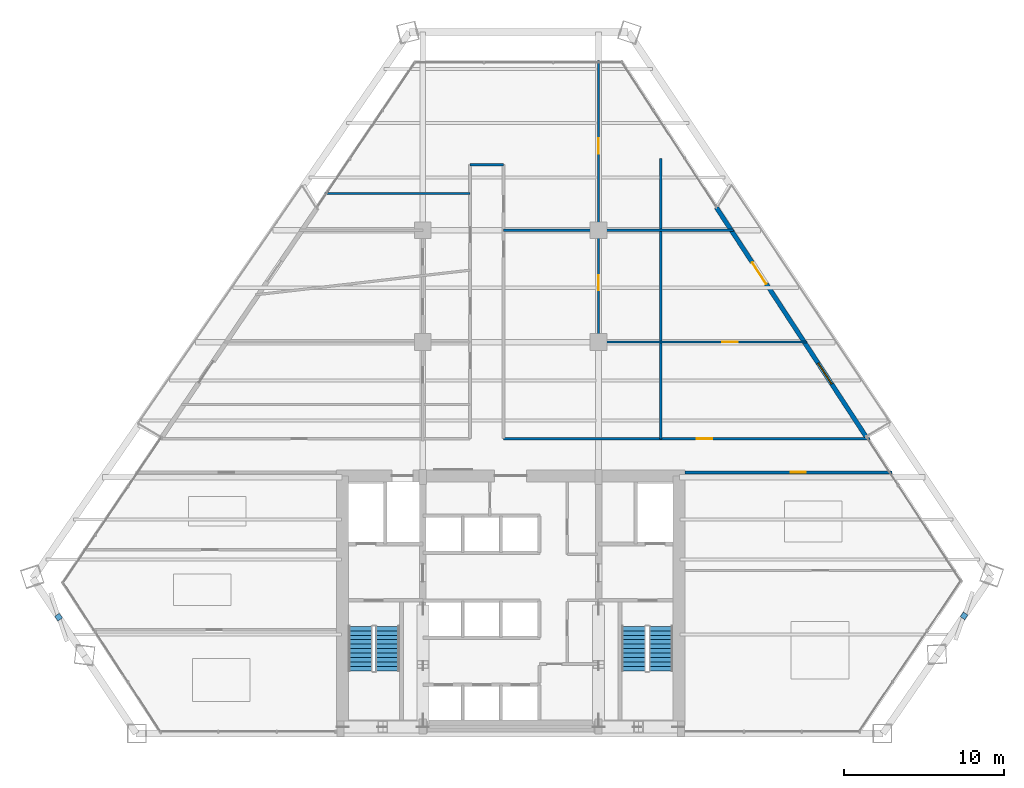
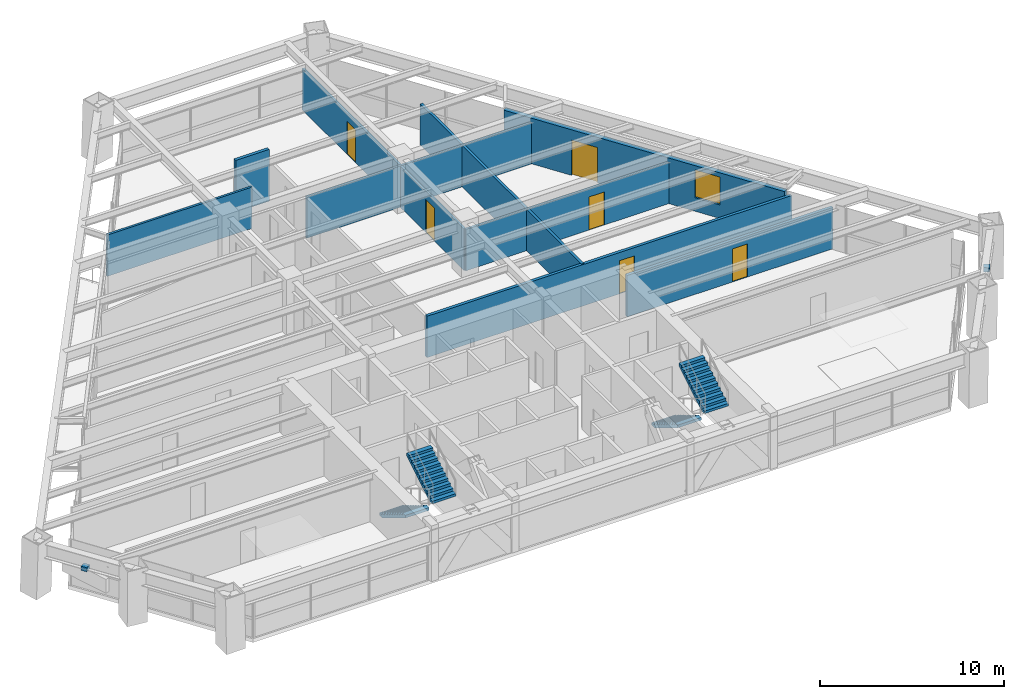
# One storey, part 12 of 14: 9 walls, 6 doors, 4 stair flights, 2 discrete accessories, 1 window, 7 openings, 2 elements without a shape of their own.
"""IFC4 building model written with IfcOpenShell, lengths in metres."""

from ifc_helpers import new_model, si_unit, direction, frame, frame_2d, origin, origin_2d, place, context, subcontext, project, spatial, polyline, rectangle, outline, extrude, source, transform, mapped, material, layer, layer_set, type_object, type_shapes, element, fill, aggregate, save


model = new_model("IFC4")

# Units and contexts
model_context = context("Model", 3, precision=1e-05, world=origin(), true_north=direction((0.0, 1.0)))
body_context = subcontext(model_context, "Body", "Model", "MODEL_VIEW")
ifc_project = project(units=[si_unit("LENGTHUNIT", "METRE"), si_unit("AREAUNIT", "SQUARE_METRE"), si_unit("VOLUMEUNIT", "CUBIC_METRE"), si_unit("PLANEANGLEUNIT", "RADIAN"), si_unit("MASSUNIT", "GRAM", prefix="KILO")], contexts=[model_context])

# Site, building, storey
site_placement = place(None, origin())
site = spatial("IfcSite", under=ifc_project, at=site_placement, CompositionType="ELEMENT")
building_placement = place(site_placement, origin())
building = spatial("IfcBuilding", under=site, at=building_placement, Name="Varnakhor Terracotta Tower", CompositionType="ELEMENT")
storey_placement = place(building_placement, frame((0.0, 0.0, 80.300048828125)))
storey = spatial("IfcBuildingStorey", under=building, at=storey_placement, Name="L19", CompositionType="ELEMENT", Elevation=80.300048828125)

# Wall, opening, door
ifc_material_1 = material(Name="Fire-Rated Gypsum Stud Partition", Category="gypsum")
ifc_layer_1 = layer(ifc_material_1, 0.18505859375, Name="Fire-Rated Gypsum Stud Partition")
ifc_layer_set_1 = layer_set([ifc_layer_1], Name="Fire-Rated Gypsum Stud Partition")
wall_type_1 = type_object("IfcWallType", Name="WAL-CORR-185", PredefinedType="PARTITIONING", material=ifc_layer_set_1)
wall_1_placement = place(storey_placement, frame((10.919921875, 16.35009765625, 0.0), z_axis=(0.0, 0.0, 1.0), x_axis=(1.0, 0.0, 0.0)))
wall_1 = element("IfcWall", 1, at=wall_1_placement, inside=storey, type_object=wall_type_1, Name="L19 South East Corridor Wall", PredefinedType="PARTITIONING", context=body_context, shape_type="SweptSolid", body=[
    extrude(rectangle(XDim=12.935791015625, YDim=0.18505859375, at=frame_2d((6.4677734375, 0.0))), origin(), (0.0, 0.0, 1.0), 2.7470703125),
])
opening_1_placement = place(wall_1_placement, frame((6.605712890625, 0.0, 0.0)))
opening_1 = element("IfcOpeningElement", 2, at=opening_1_placement, cuts=wall_1, Name="Opening DR-94", PredefinedType="OPENING", context=body_context, shape_type="SweptSolid", body=[
    extrude(rectangle(XDim=0.949951171875, YDim=2.199951171875, at=frame_2d((0.47509765625, 1.10009765625))), frame((0.0, 0.1025390625, 0.0), z_axis=(0.0, -1.0, 0.0), x_axis=(1.0, 0.0, 0.0)), (0.0, 0.0, 1.0), 0.205078125),
])
ifc_material_2 = material(Name="Acoustic Glazed-Vision Timber Office Door", Category="wood")
door_type_1 = type_object("IfcDoorType", Name="DR-OFF-950X2200", OperationType="NOTDEFINED", PredefinedType="DOOR", material=ifc_material_2)
shared_shape_1 = source(origin(), body_context, "Body", "SweptSolid", [
    extrude(rectangle(XDim=0.949951171875, YDim=2.199951171875, at=frame_2d((0.47509765625, 1.10009765625))), frame((0.0, 0.02490234375, 0.0), z_axis=(0.0, -1.0, 0.0), x_axis=(1.0, 0.0, 0.0)), (0.0, 0.0, 1.0), 0.050048828125),
])
type_shapes(door_type_1, [shared_shape_1])
door_1_placement = place(opening_1_placement, origin())
door_1 = element("IfcDoor", 3, at=door_1_placement, inside=storey, type_object=door_type_1, Name="L19 SE Suite Door", OperationType="SINGLE_SWING_LEFT", OverallHeight=2.199951171875, OverallWidth=0.949951171875, PredefinedType="DOOR", context=body_context, shape_type="MappedRepresentation", body=[
    mapped(shared_shape_1, transform((0.0, 0.0, 0.0), scale=1.0)),
])
fill(opening_1, door_1)

wall_2_placement = place(storey_placement, frame((-0.449951171875, 18.449951171875, 0.0), z_axis=(0.0, 0.0, 1.0), x_axis=(1.0, 0.0, 0.0)))
wall_2 = element("IfcWall", 4, at=wall_2_placement, inside=storey, type_object=wall_type_1, Name="L19 Corridor North East Wall", PredefinedType="PARTITIONING", context=body_context, shape_type="SweptSolid", body=[
    extrude(rectangle(XDim=22.933837890625, YDim=0.18505859375, at=frame_2d((11.466796875, 0.0))), origin(), (0.0, 0.0, 1.0), 2.7470703125),
])
opening_2_placement = place(wall_2_placement, frame((12.1044921875, 0.0, 0.0)))
opening_2 = element("IfcOpeningElement", 5, at=opening_2_placement, cuts=wall_2, Name="Opening DR-94", PredefinedType="OPENING", context=body_context, shape_type="SweptSolid", body=[
    extrude(rectangle(XDim=0.949951171875, YDim=2.199951171875, at=frame_2d((0.47509765625, 1.10009765625))), frame((0.0, 0.1025390625, 0.0), z_axis=(0.0, -1.0, 0.0), x_axis=(1.0, 0.0, 0.0)), (0.0, 0.0, 1.0), 0.205078125),
])
door_2_placement = place(opening_2_placement, origin())
door_2 = element("IfcDoor", 6, at=door_2_placement, inside=storey, type_object=door_type_1, Name="L19 East Workplace Door", OperationType="SINGLE_SWING_LEFT", OverallHeight=2.199951171875, OverallWidth=0.949951171875, PredefinedType="DOOR", context=body_context, shape_type="MappedRepresentation", body=[
    mapped(shared_shape_1, transform((0.0, 0.0, 0.0), scale=1.0)),
])
fill(opening_2, door_2)

# Wall
wall_3_placement = place(storey_placement, frame((-2.550048828125, 35.60009765625, 0.0), z_axis=(0.0, 0.0, 1.0), x_axis=(1.0, 0.0, 0.0)))
element("IfcWall", 7, at=wall_3_placement, inside=storey, type_object=wall_type_1, Name="L19 Spine North End Wall", PredefinedType="PARTITIONING", context=body_context, shape_type="SweptSolid", body=[
    extrude(rectangle(XDim=2.10009765625, YDim=0.18505859375, at=frame_2d((1.050048828125, 0.0))), origin(), (0.0, 0.0, 1.0), 3.44189453125),
])

# Wall, openings, door, window
ifc_material_3 = material(Name="Extruded Architectural Terracotta Assembly", Category="masonry")
ifc_layer_2 = layer(ifc_material_3, 0.280029296875, Name="Extruded Architectural Terracotta Assembly")
ifc_layer_set_2 = layer_set([ifc_layer_2], Name="Extruded Architectural Terracotta Assembly")
wall_type_2 = type_object("IfcWallType", Name="WAL-EXT-TERRACOTTA-280", PredefinedType="SOLIDWALL", material=ifc_layer_set_2)
wall_4_placement = place(storey_placement, frame((12.870849609375, 32.928955078125, 0.0), z_axis=(0.0, 0.0, 1.0), x_axis=(0.546875982242, -0.83721362868, 0.0)))
wall_4 = element("IfcWall", 8, at=wall_4_placement, inside=storey, type_object=wall_type_2, Name="L19 E Loggia Insulated Terracotta Wall", PredefinedType="SOLIDWALL", context=body_context, shape_type="SweptSolid", body=[
    extrude(rectangle(XDim=17.126220703125, YDim=0.280029296875, at=frame_2d((8.56298828125, 0.0))), origin(), (0.0, 0.0, 1.0), 3.030029296875),
])
opening_3_placement = place(wall_4_placement, frame((4.1103515625, 0.0, 0.0)))
opening_3 = element("IfcOpeningElement", 9, at=opening_3_placement, cuts=wall_4, Name="Opening DR-62", PredefinedType="OPENING", context=body_context, shape_type="SweptSolid", body=[
    extrude(rectangle(XDim=1.60009765625, YDim=2.35009765625, at=frame_2d((0.800048828125, 1.175048828125))), frame((0.0, 0.14990234375, 0.0), z_axis=(0.0, -1.0, 0.0), x_axis=(1.0, 0.0, 0.0)), (0.0, 0.0, 1.0), 0.300048828125),
])
opening_4_placement = place(wall_4_placement, frame((11.64599609375, 0.0, 0.89990234375)))
opening_4 = element("IfcOpeningElement", 10, at=opening_4_placement, cuts=wall_4, Name="Opening WN-57", PredefinedType="OPENING", context=body_context, shape_type="SweptSolid", body=[
    extrude(rectangle(XDim=1.550048828125, YDim=1.85009765625, at=frame_2d((0.77490234375, 0.925048828125))), frame((0.0, 0.14990234375, 0.0), z_axis=(0.0, -1.0, 0.0), x_axis=(1.0, 0.0, 0.0)), (0.0, 0.0, 1.0), 0.300048828125),
])
ifc_material_4 = material(Name="Thermally Broken Sliding Glass Loggia Door", Category="glass")
door_type_2 = type_object("IfcDoorType", Name="DR-EXT-LOGGIA-1600X2350", OperationType="NOTDEFINED", PredefinedType="DOOR", material=ifc_material_4)
shared_shape_2 = source(origin(), body_context, "Body", "SweptSolid", [
    extrude(rectangle(XDim=1.60009765625, YDim=2.35009765625, at=frame_2d((0.800048828125, 1.175048828125))), frame((0.0, 0.02490234375, 0.0), z_axis=(0.0, -1.0, 0.0), x_axis=(1.0, 0.0, 0.0)), (0.0, 0.0, 1.0), 0.050048828125),
])
type_shapes(door_type_2, [shared_shape_2])
door_3_placement = place(opening_3_placement, origin())
door_3 = element("IfcDoor", 11, at=door_3_placement, inside=storey, type_object=door_type_2, Name="L19 E Recessed Loggia Sliding Door", OperationType="SLIDING_TO_RIGHT", OverallHeight=2.35009765625, OverallWidth=1.60009765625, PredefinedType="DOOR", context=body_context, shape_type="MappedRepresentation", body=[
    mapped(shared_shape_2, transform((0.0, 0.0, 0.0), scale=1.0)),
])
fill(opening_3, door_3)
ifc_material_5 = material(Name="Solar-Control Low-E Insulated Glass Unit", Category="glass")
window_type = type_object("IfcWindowType", Name="WIN-OFF-1650X2100", PartitioningType="SINGLE_PANEL", PredefinedType="WINDOW", material=ifc_material_5)
shared_shape_3 = source(origin(), body_context, "Body", "SweptSolid", [
    extrude(rectangle(XDim=1.550048828125, YDim=1.85009765625, at=frame_2d((0.77490234375, 0.925048828125))), frame((0.0, 0.030029296875, 0.0), z_axis=(0.0, -1.0, 0.0), x_axis=(1.0, 0.0, 0.0)), (0.0, 0.0, 1.0), 0.06005859375),
])
type_shapes(window_type, [shared_shape_3])
window_placement = place(opening_4_placement, origin())
window = element("IfcWindow", 12, at=window_placement, inside=storey, type_object=window_type, Name="L19 E Facet Punched Window", OverallHeight=1.85009765625, OverallWidth=1.550048828125, PartitioningType="SINGLE_PANEL", PredefinedType="WINDOW", context=body_context, shape_type="MappedRepresentation", body=[
    mapped(shared_shape_3, transform((0.0, 0.0, 0.0), scale=1.0)),
])
fill(opening_4, window)

# Wall, openings, doors
ifc_material_6 = material(Name="Acoustic Metal-Stud Partition", Category="gypsum")
ifc_layer_3 = layer(ifc_material_6, 0.139892578125, Name="Acoustic Metal-Stud Partition")
ifc_layer_set_3 = layer_set([ifc_layer_3], Name="Acoustic Metal-Stud Partition")
wall_type_3 = type_object("IfcWallType", Name="WAL-PART-140", PredefinedType="PARTITIONING", material=ifc_layer_set_3)
wall_5_placement = place(storey_placement, frame((5.5, 24.5, 0.0), z_axis=(0.0, 0.0, 1.0), x_axis=(0.0, 1.0, 0.0)))
wall_5 = element("IfcWall", 13, at=wall_5_placement, inside=storey, type_object=wall_type_3, Name="L19 East Column Line Wall", PredefinedType="PARTITIONING", context=body_context, shape_type="SweptSolid", body=[
    extrude(rectangle(XDim=17.6201171875, YDim=0.139892578125, at=frame_2d((8.81005859375, 0.0))), origin(), (0.0, 0.0, 1.0), 2.7470703125),
])
opening_5_placement = place(wall_5_placement, frame((3.22998046875, 0.0, 0.0)))
opening_5 = element("IfcOpeningElement", 14, at=opening_5_placement, cuts=wall_5, Name="Opening DR-94", PredefinedType="OPENING", context=body_context, shape_type="SweptSolid", body=[
    extrude(rectangle(XDim=0.949951171875, YDim=2.199951171875, at=frame_2d((0.47509765625, 1.10009765625))), frame((0.0, 0.080078125, 0.0), z_axis=(0.0, -1.0, 0.0), x_axis=(1.0, 0.0, 0.0)), (0.0, 0.0, 1.0), 0.159912109375),
])
opening_6_placement = place(wall_5_placement, frame((11.800048828125, 0.0, 0.0)))
opening_6 = element("IfcOpeningElement", 15, at=opening_6_placement, cuts=wall_5, Name="Opening DR-94", PredefinedType="OPENING", context=body_context, shape_type="SweptSolid", body=[
    extrude(rectangle(XDim=0.949951171875, YDim=2.199951171875, at=frame_2d((0.47509765625, 1.10009765625))), frame((0.0, 0.080078125, 0.0), z_axis=(0.0, -1.0, 0.0), x_axis=(1.0, 0.0, 0.0)), (0.0, 0.0, 1.0), 0.159912109375),
])
door_4_placement = place(opening_5_placement, origin())
door_4 = element("IfcDoor", 16, at=door_4_placement, inside=storey, type_object=door_type_1, Name="L19 Focus Office B15 Door", OperationType="SINGLE_SWING_LEFT", OverallHeight=2.199951171875, OverallWidth=0.949951171875, PredefinedType="DOOR", context=body_context, shape_type="MappedRepresentation", body=[
    mapped(shared_shape_1, transform((0.0, 0.0, 0.0), scale=1.0)),
])
fill(opening_5, door_4)
door_5_placement = place(opening_6_placement, origin())
door_5 = element("IfcDoor", 17, at=door_5_placement, inside=storey, type_object=door_type_1, Name="L19 Reception Lounge Door", OperationType="SINGLE_SWING_LEFT", OverallHeight=2.199951171875, OverallWidth=0.949951171875, PredefinedType="DOOR", context=body_context, shape_type="MappedRepresentation", body=[
    mapped(shared_shape_1, transform((0.0, 0.0, 0.0), scale=1.0)),
])
fill(opening_6, door_5)

# Wall, opening, door
wall_6_placement = place(storey_placement, frame((5.5, 24.5, 0.0), z_axis=(0.0, 0.0, 1.0), x_axis=(1.0, 0.0, 0.0)))
wall_6 = element("IfcWall", 18, at=wall_6_placement, inside=storey, type_object=wall_type_3, Name="L19 Mid East Column Wall", PredefinedType="PARTITIONING", context=body_context, shape_type="SweptSolid", body=[
    extrude(rectangle(XDim=13.031982421875, YDim=0.139892578125, at=frame_2d((6.51611328125, 0.0))), origin(), (0.0, 0.0, 1.0), 2.7470703125),
])
opening_7_placement = place(wall_6_placement, frame((7.7548828125, 0.0, 0.0)))
opening_7 = element("IfcOpeningElement", 19, at=opening_7_placement, cuts=wall_6, Name="Opening DR-94", PredefinedType="OPENING", context=body_context, shape_type="SweptSolid", body=[
    extrude(rectangle(XDim=0.949951171875, YDim=2.199951171875, at=frame_2d((0.47509765625, 1.10009765625))), frame((0.0, 0.080078125, 0.0), z_axis=(0.0, -1.0, 0.0), x_axis=(1.0, 0.0, 0.0)), (0.0, 0.0, 1.0), 0.159912109375),
])
door_6_placement = place(opening_7_placement, origin())
door_6 = element("IfcDoor", 20, at=door_6_placement, inside=storey, type_object=door_type_1, Name="L19 Staff Dining Room Door", OperationType="SINGLE_SWING_RIGHT", OverallHeight=2.199951171875, OverallWidth=0.949951171875, PredefinedType="DOOR", context=body_context, shape_type="MappedRepresentation", body=[
    mapped(shared_shape_1, transform((0.0, 0.0, 0.0), scale=1.0)),
])
fill(opening_7, door_6)

# Walls
wall_7_placement = place(storey_placement, frame((-11.664306640625, 33.800048828125, 0.0), z_axis=(0.0, 0.0, 1.0), x_axis=(1.0, 0.0, 0.0)))
element("IfcWall", 21, at=wall_7_placement, inside=storey, type_object=wall_type_3, Name="L19 West Wing Cut 4", PredefinedType="PARTITIONING", context=body_context, shape_type="SweptSolid", body=[
    extrude(rectangle(XDim=9.1142578125, YDim=0.139892578125, at=frame_2d((4.55712890625, 0.0))), origin(), (0.0, 0.0, 1.0), 2.7470703125),
])
wall_8_placement = place(storey_placement, frame((-0.449951171875, 31.5, 0.0), z_axis=(0.0, 0.0, 1.0), x_axis=(1.0, 0.0, 0.0)))
element("IfcWall", 22, at=wall_8_placement, inside=storey, type_object=wall_type_3, Name="L19 East Wing Cut 1", PredefinedType="PARTITIONING", context=body_context, shape_type="SweptSolid", body=[
    extrude(rectangle(XDim=14.409423828125, YDim=0.139892578125, at=frame_2d((7.20458984375, 0.0))), origin(), (0.0, 0.0, 1.0), 2.7470703125),
])
ifc_material_7 = material(Name="Acoustic Fire-Rated Partition", Category="gypsum")
ifc_layer_4 = layer(ifc_material_7, 0.1650390625, Name="Acoustic Fire-Rated Partition")
ifc_layer_set_4 = layer_set([ifc_layer_4], Name="Acoustic Fire-Rated Partition")
wall_type_4 = type_object("IfcWallType", Name="WAL-TENANCY-165", PredefinedType="PARTITIONING", material=ifc_layer_set_4)
wall_9_placement = place(storey_placement, frame((9.39990234375, 18.449951171875, 0.0), z_axis=(0.0, 0.0, 1.0), x_axis=(0.0, 1.0, 0.0)))
element("IfcWall", 23, at=wall_9_placement, inside=storey, type_object=wall_type_4, Name="L19 East Cellular Line", PredefinedType="PARTITIONING", context=body_context, shape_type="SweptSolid", body=[
    extrude(rectangle(XDim=17.550048828125, YDim=0.1650390625, at=frame_2d((8.77490234375, 0.0))), origin(), (0.0, 0.0, 1.0), 2.7470703125),
])

# Stair, stair flights
ifc_material_8 = material(Name="Concrete C40/50", Category="concrete")
stair_type = type_object("IfcStairType", Name="STR-CORE-OFFICE-1500", PredefinedType="HALF_TURN_STAIR", material=ifc_material_8)
stair_1_placement = place(storey_placement, origin())
stair_1 = element("IfcStair", 24, at=stair_1_placement, inside=storey, type_object=stair_type, Name="L19 Core Exit Stair ST-1", PredefinedType="HALF_TURN_STAIR")
stair_flight_type = type_object("IfcStairFlightType", Name="FLT-CORE-1500", PredefinedType="STRAIGHT", material=ifc_material_8)
stair_flight_1_placement = place(storey_placement, frame((-9.39990234375, 6.7099609375, 0.0), z_axis=(0.0, 0.0, 1.0), x_axis=(0.0, -1.0, 0.0)))
stair_flight_1 = element("IfcStairFlight", 25, at=stair_flight_1_placement, type_object=stair_flight_type, Name="ST-1 flight 1", NumberOfRisers=11, NumberOfTreads=10, PredefinedType="STRAIGHT", RiserHeight=0.168181818, TreadLength=0.28, context=body_context, shape_type="SweptSolid", body=[
    extrude(outline(polyline([(0.0, 0.0), (0.0, 0.168212890625), (0.280029296875, 0.168212890625), (0.280029296875, 0.33642578125), (0.56005859375, 0.33642578125), (0.56005859375, 0.504638671875), (0.840087890625, 0.504638671875), (0.840087890625, 0.672607421875), (1.1201171875, 0.672607421875), (1.1201171875, 0.8408203125), (1.39990234375, 0.8408203125), (1.39990234375, 1.009033203125), (1.679931640625, 1.009033203125), (1.679931640625, 1.17724609375), (1.9599609375, 1.17724609375), (1.9599609375, 1.345458984375), (2.239990234375, 1.345458984375), (2.239990234375, 1.513671875), (2.52001953125, 1.513671875), (2.52001953125, 1.681884765625), (2.800048828125, 1.681884765625), (2.800048828125, 1.85009765625), (2.800048828125, 1.495361328125), (0.310546875, 0.0), (0.0, 0.0)])), frame((0.0, 0.75, 0.0), z_axis=(0.0, -1.0, 0.0), x_axis=(1.0, 0.0, 0.0)), (0.0, 0.0, 1.0), 1.5),
])
stair_flight_2_placement = place(storey_placement, frame((-7.699951171875, 3.909912109375, 1.849853515625), z_axis=(0.0, 0.0, 1.0), x_axis=(0.0, 1.0, 0.0)))
stair_flight_2 = element("IfcStairFlight", 26, at=stair_flight_2_placement, type_object=stair_flight_type, Name="ST-1 flight 2", NumberOfRisers=11, NumberOfTreads=10, PredefinedType="STRAIGHT", RiserHeight=0.168181818, TreadLength=0.28, context=body_context, shape_type="SweptSolid", body=[
    extrude(outline(polyline([(0.0, 0.0), (0.0, 0.168212890625), (0.280029296875, 0.168212890625), (0.280029296875, 0.33642578125), (0.56005859375, 0.33642578125), (0.56005859375, 0.504638671875), (0.840087890625, 0.504638671875), (0.840087890625, 0.672607421875), (1.1201171875, 0.672607421875), (1.1201171875, 0.8408203125), (1.39990234375, 0.8408203125), (1.39990234375, 1.009033203125), (1.679931640625, 1.009033203125), (1.679931640625, 1.17724609375), (1.9599609375, 1.17724609375), (1.9599609375, 1.345458984375), (2.239990234375, 1.345458984375), (2.239990234375, 1.513671875), (2.52001953125, 1.513671875), (2.52001953125, 1.681884765625), (2.800048828125, 1.681884765625), (2.800048828125, 1.85009765625), (2.800048828125, 1.495361328125), (0.310546875, 0.0), (0.0, 0.0)])), frame((0.0, 0.75, 0.0), z_axis=(0.0, -1.0, 0.0), x_axis=(1.0, 0.0, 0.0)), (0.0, 0.0, 1.0), 1.5),
])
aggregate(stair_1, [stair_flight_1, stair_flight_2])

stair_2_placement = place(storey_placement, origin())
stair_2 = element("IfcStair", 27, at=stair_2_placement, inside=storey, type_object=stair_type, Name="L19 Core Exit Stair ST-2", PredefinedType="HALF_TURN_STAIR")
stair_flight_3_placement = place(storey_placement, frame((7.699951171875, 6.7099609375, 0.0), z_axis=(0.0, 0.0, 1.0), x_axis=(0.0, -1.0, 0.0)))
stair_flight_3 = element("IfcStairFlight", 28, at=stair_flight_3_placement, type_object=stair_flight_type, Name="ST-2 flight 1", NumberOfRisers=11, NumberOfTreads=10, PredefinedType="STRAIGHT", RiserHeight=0.168181818, TreadLength=0.28, context=body_context, shape_type="SweptSolid", body=[
    extrude(outline(polyline([(0.0, 0.0), (0.0, 0.168212890625), (0.280029296875, 0.168212890625), (0.280029296875, 0.33642578125), (0.56005859375, 0.33642578125), (0.56005859375, 0.504638671875), (0.840087890625, 0.504638671875), (0.840087890625, 0.672607421875), (1.1201171875, 0.672607421875), (1.1201171875, 0.8408203125), (1.39990234375, 0.8408203125), (1.39990234375, 1.009033203125), (1.679931640625, 1.009033203125), (1.679931640625, 1.17724609375), (1.9599609375, 1.17724609375), (1.9599609375, 1.345458984375), (2.239990234375, 1.345458984375), (2.239990234375, 1.513671875), (2.52001953125, 1.513671875), (2.52001953125, 1.681884765625), (2.800048828125, 1.681884765625), (2.800048828125, 1.85009765625), (2.800048828125, 1.495361328125), (0.310546875, 0.0), (0.0, 0.0)])), frame((0.0, 0.75, 0.0), z_axis=(0.0, -1.0, 0.0), x_axis=(1.0, 0.0, 0.0)), (0.0, 0.0, 1.0), 1.5),
])
stair_flight_4_placement = place(storey_placement, frame((9.39990234375, 3.909912109375, 1.849853515625), z_axis=(0.0, 0.0, 1.0), x_axis=(0.0, 1.0, 0.0)))
stair_flight_4 = element("IfcStairFlight", 29, at=stair_flight_4_placement, type_object=stair_flight_type, Name="ST-2 flight 2", NumberOfRisers=11, NumberOfTreads=10, PredefinedType="STRAIGHT", RiserHeight=0.168181818, TreadLength=0.28, context=body_context, shape_type="SweptSolid", body=[
    extrude(outline(polyline([(0.0, 0.0), (0.0, 0.168212890625), (0.280029296875, 0.168212890625), (0.280029296875, 0.33642578125), (0.56005859375, 0.33642578125), (0.56005859375, 0.504638671875), (0.840087890625, 0.504638671875), (0.840087890625, 0.672607421875), (1.1201171875, 0.672607421875), (1.1201171875, 0.8408203125), (1.39990234375, 0.8408203125), (1.39990234375, 1.009033203125), (1.679931640625, 1.009033203125), (1.679931640625, 1.17724609375), (1.9599609375, 1.17724609375), (1.9599609375, 1.345458984375), (2.239990234375, 1.345458984375), (2.239990234375, 1.513671875), (2.52001953125, 1.513671875), (2.52001953125, 1.681884765625), (2.800048828125, 1.681884765625), (2.800048828125, 1.85009765625), (2.800048828125, 1.495361328125), (0.310546875, 0.0), (0.0, 0.0)])), frame((0.0, 0.75, 0.0), z_axis=(0.0, -1.0, 0.0), x_axis=(1.0, 0.0, 0.0)), (0.0, 0.0, 1.0), 1.5),
])
aggregate(stair_2, [stair_flight_3, stair_flight_4])

# Discrete accessories
ifc_material_9 = material(Name="Stainless Steel Fixing Bracket", Category="steel")
discrete_accessory_type = type_object("IfcDiscreteAccessoryType", Name="BRACKET-TERRACOTTA-SCREEN", PredefinedType="BRACKET", material=ifc_material_9)
shared_shape_4 = source(origin(), body_context, "Body", "SweptSolid", [
    extrude(rectangle(XDim=0.35009765625, YDim=0.35009765625, at=origin_2d()), origin(), (0.0, 0.0, 1.0), 0.280029296875),
])
type_shapes(discrete_accessory_type, [shared_shape_4])
for number, where, z_axis, x_axis, name in (
    (30, (28.37548828125, 7.36328125, 2.39306640625), (0.0, 0.0, 1.0), (0.567700072007, 0.823235463427, 0.0), "L19 E Screen Fixing Bracket"),
    (31, (-28.29443359375, 7.28466796875, 2.39306640625), (0.0, 0.0, 1.0), (0.554553986878, -0.832147748683, 0.0), "L19 W Screen Fixing Bracket"),
):
    element("IfcDiscreteAccessory", number, at=place(storey_placement, frame(where, z_axis=z_axis, x_axis=x_axis)), inside=storey, type_object=discrete_accessory_type, Name=name, PredefinedType="BRACKET", context=body_context, shape_type="MappedRepresentation", body=[
        mapped(shared_shape_4, transform((0.0, 0.0, 0.0), scale=1.0)),
    ])

save(model, "model.ifc")
